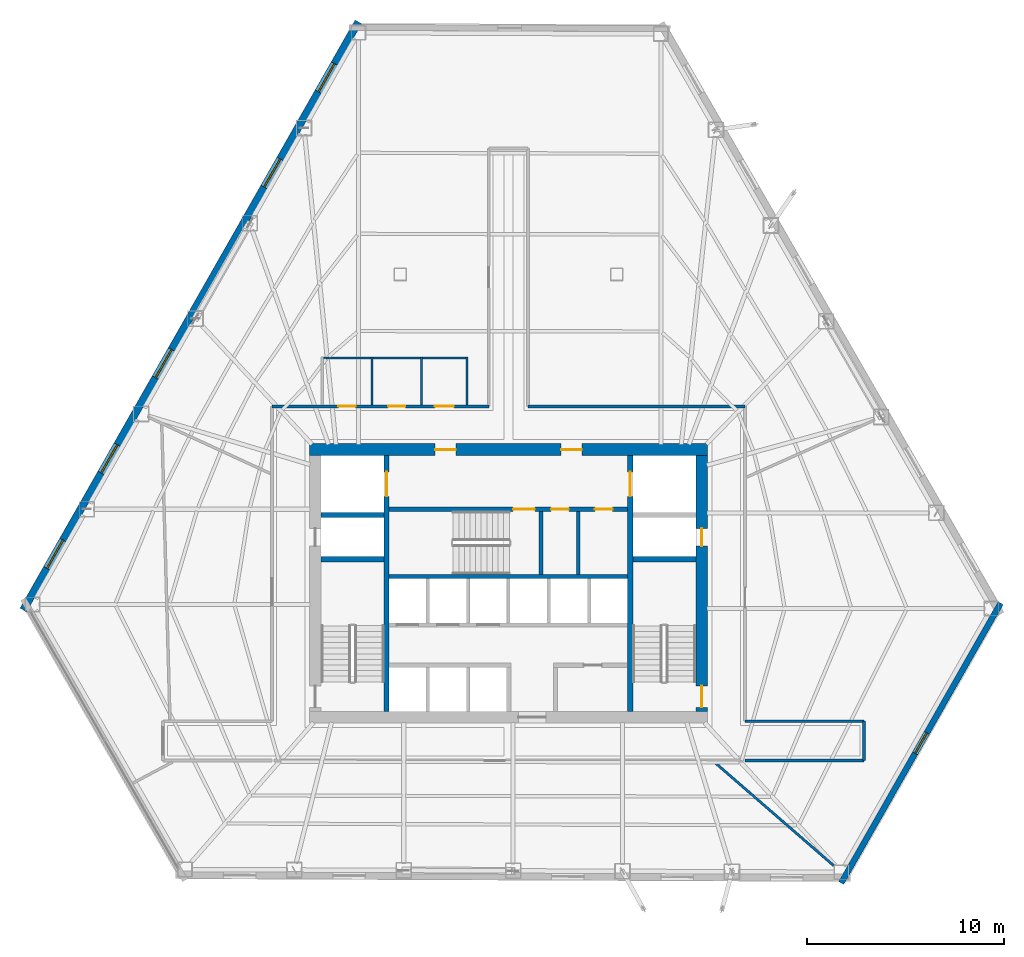
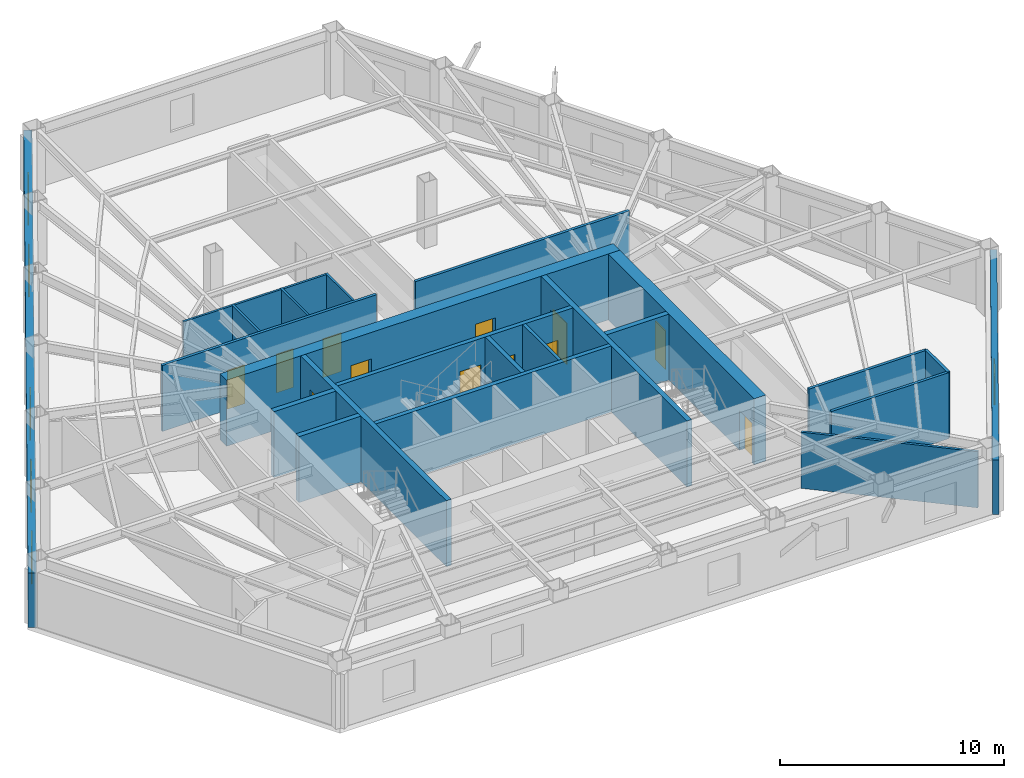
# One storey, part 10 of 13: 23 walls, 12 doors, 6 windows, 18 openings.
"""IFC4 building model written with IfcOpenShell, lengths in metres."""

import ifcopenshell
import ifcopenshell.guid

model = None  # the IFC model being written
_history = None  # IfcOwnerHistory: only IFC2X3 demands one
_inside = {}  # id of a spatial element -> (the spatial element, [elements in it])
_under = {}  # id of a project, library or spatial element -> (it, [spatial elements below it])
_declared = {}  # id of a project -> (the project, [libraries it declares])
_typed = {}  # id of a type object -> (the type object, [elements of that type])
_made_of = {}  # id of a material, layer set ... -> (it, [elements and type objects made of it])


def new_model(schema):
    """Start an empty IFC model of exactly this schema.

    Asked for "IFC4X3", IfcOpenShell would pick the latest addendum, in which some entities
    have other attributes; the version numbers below select the first issue.
    IFC2X3 requires an IfcOwnerHistory on every rooted entity: one is made here for all.
    """
    global model, _history
    if schema == "IFC4X3":
        model = ifcopenshell.file(schema_version=(4, 3, 0, 0))
    else:
        model = ifcopenshell.file(schema=schema)
    _inside.clear()
    _under.clear()
    _declared.clear()
    _typed.clear()
    _made_of.clear()
    _history = None
    if model.schema == "IFC2X3":
        org = make("IfcOrganization", Name="unknown")
        user = make(
            "IfcPersonAndOrganization",
            ThePerson=make("IfcPerson", FamilyName="unknown"),
            TheOrganization=org,
        )
        app = make(
            "IfcApplication",
            ApplicationDeveloper=org,
            Version="unknown",
            ApplicationFullName="unknown",
            ApplicationIdentifier="unknown",
        )
        _history = make(
            "IfcOwnerHistory",
            OwningUser=user,
            OwningApplication=app,
            ChangeAction="ADDED",
            CreationDate=0,
        )
    return model


def make(cls, **values):
    """One entity of the class cls with the attributes given. An attribute that is None is left unset."""
    return model.create_entity(
        cls, **{name: value for name, value in values.items() if value is not None}
    )


def rooted(cls, **values):
    """An entity with a GlobalId (a new one), such as an element, a storey or a relation."""
    return make(cls, GlobalId=ifcopenshell.guid.new(), OwnerHistory=_history, **values)


def si_unit(unit_type, name, prefix=None):
    """IfcSIUnit, for example si_unit("LENGTHUNIT", "METRE", prefix="MILLI")."""
    return make("IfcSIUnit", UnitType=unit_type, Prefix=prefix, Name=name)


def assignment(units):
    """IfcUnitAssignment: the units of a project."""
    return None if units is None else make("IfcUnitAssignment", Units=units)


def point(xyz):
    """IfcCartesianPoint."""
    return None if xyz is None else make("IfcCartesianPoint", Coordinates=xyz)


def direction(xyz):
    """IfcDirection."""
    return None if xyz is None else make("IfcDirection", DirectionRatios=xyz)


def frame(location, z_axis=None, x_axis=None):
    """IfcAxis2Placement3D, a coordinate frame: its origin and axes. An axis left out is left unset."""
    return make(
        "IfcAxis2Placement3D",
        Location=point(location),
        Axis=direction(z_axis),
        RefDirection=direction(x_axis),
    )


def frame_2d(location, x_axis=None):
    """IfcAxis2Placement2D, a coordinate frame in the plane: its origin and x axis."""
    return make(
        "IfcAxis2Placement2D", Location=point(location), RefDirection=direction(x_axis)
    )


def origin():
    """The frame at (0, 0, 0) with its axes left unset."""
    return frame((0.0, 0.0, 0.0))


def place(relative_to, where):
    """IfcLocalPlacement: puts the frame where relative to a parent placement (None: the world)."""
    return make(
        "IfcLocalPlacement", PlacementRelTo=relative_to, RelativePlacement=where
    )


def context(
    kind, dimensions, precision=None, world=None, true_north=None, identifier=None
):
    """IfcGeometricRepresentationContext, for example the 3D "Model" context."""
    return make(
        "IfcGeometricRepresentationContext",
        ContextIdentifier=identifier,
        ContextType=kind,
        CoordinateSpaceDimension=dimensions,
        Precision=precision,
        WorldCoordinateSystem=world,
        TrueNorth=true_north,
    )


def subcontext(parent, identifier, kind, view, scale=None):
    """IfcGeometricRepresentationSubContext, for example "Body" below "Model"."""
    return make(
        "IfcGeometricRepresentationSubContext",
        ContextIdentifier=identifier,
        ContextType=kind,
        ParentContext=parent,
        TargetScale=scale,
        TargetView=view,
    )


def project(units=None, contexts=None):
    """IfcProject with its units and contexts."""
    return rooted(
        "IfcProject",
        Name="project",
        RepresentationContexts=contexts,
        UnitsInContext=assignment(units),
    )


def spatial(cls, under=None, at=None, **own):
    """A site, building, storey or space (cls), placed at a placement, below another one or the project."""
    s = rooted(cls, ObjectPlacement=at, **own)
    if under is not None:
        _under.setdefault(under.id(), (under, []))[1].append(s)
    return s


def profile(cls, at=None, kind="AREA", **sizes):
    """A parametric profile (cls). Its sizes go by their IFC names, for example OverallWidth=200.0."""
    return make(cls, ProfileType=kind, Position=at, **sizes)


def rectangle(**sizes):
    """IfcRectangleProfileDef."""
    return profile("IfcRectangleProfileDef", **sizes)


def extrude(swept, where, along, depth):
    """IfcExtrudedAreaSolid: the profile swept, set in the frame where, extruded along a direction by depth."""
    return make(
        "IfcExtrudedAreaSolid",
        SweptArea=swept,
        Position=where,
        ExtrudedDirection=direction(along),
        Depth=depth,
    )


def shape(context_of_items, identifier, shape_type, items):
    """IfcShapeRepresentation: the items that make up one representation, for example the "Body"."""
    return make(
        "IfcShapeRepresentation",
        ContextOfItems=context_of_items,
        RepresentationIdentifier=identifier,
        RepresentationType=shape_type,
        Items=items,
    )


def material(Name=None, Category=None):
    """IfcMaterial."""
    return make("IfcMaterial", Name=Name, Category=Category)


def layer(
    of_material, thickness, ventilated=None, Name=None, Category=None, Priority=None
):
    """IfcMaterialLayer: one layer of a wall or slab, of a material (None: an air gap)."""
    return make(
        "IfcMaterialLayer",
        Material=of_material,
        LayerThickness=thickness,
        IsVentilated=ventilated,
        Name=Name,
        Category=Category,
        Priority=Priority,
    )


def layer_set(layers, Name=None):
    """IfcMaterialLayerSet."""
    return make("IfcMaterialLayerSet", MaterialLayers=layers, LayerSetName=Name)


def made_of(thing, what):
    """Note that an element or type object is made of a material, layer set ...; save() writes the relation."""
    if what is not None:
        _made_of.setdefault(what.id(), (what, []))[1].append(thing)
    return thing


def type_object(cls, material=None, **own):
    """A type object (cls), such as IfcWallType, which elements share."""
    return made_of(rooted(cls, **own), material)


def element(
    cls,
    number,
    at=None,
    inside=None,
    cuts=None,
    type_object=None,
    material=None,
    context=None,
    identifier="Body",
    shape_type=None,
    held_by="IfcProductDefinitionShape",
    body=None,
    shapes=None,
    **own,
):
    """One element of the class cls, such as IfcWall. Its Tag is "e" and its number.

    at: its placement. inside: the storey or other place that contains it. cuts: it is an
    opening in that element (IfcRelVoidsElement). A single representation is given by context,
    identifier, shape_type and body (its items); several are given by shapes. held_by: the class
    of the entity that holds the representations. save() writes the other relations.
    """
    e = rooted(cls, Tag="e%d" % number, ObjectPlacement=at, **own)
    if body is not None:
        shapes = [shape(context, identifier, shape_type, body)]
    if shapes is not None:
        e.Representation = make(held_by, Representations=shapes)
    if inside is not None:
        _inside.setdefault(inside.id(), (inside, []))[1].append(e)
    if cuts is not None:
        rooted(
            "IfcRelVoidsElement", RelatingBuildingElement=cuts, RelatedOpeningElement=e
        )
    if type_object is not None:
        _typed.setdefault(type_object.id(), (type_object, []))[1].append(e)
    return made_of(e, material)


def fill(opening, filler):
    """IfcRelFillsElement: the door or window that sits in an opening."""
    return rooted(
        "IfcRelFillsElement",
        RelatingOpeningElement=opening,
        RelatedBuildingElement=filler,
    )


def aggregate(whole, parts):
    """IfcRelAggregates: a whole, such as a stair, and the parts it consists of."""
    return rooted("IfcRelAggregates", RelatingObject=whole, RelatedObjects=parts)


def save(model, path):
    """Write the relations noted so far, then the file.

    IfcRelAggregates (storeys below a building ...), IfcRelContainedInSpatialStructure (elements
    in a storey), IfcRelDefinesByType, IfcRelAssociatesMaterial and IfcRelDeclares: one each for
    every whole, place, type object, material and project.
    """
    for whole, parts in _under.values():
        aggregate(whole, parts)
    for where, things in _inside.values():
        rooted(
            "IfcRelContainedInSpatialStructure",
            RelatedElements=things,
            RelatingStructure=where,
        )
    for kind, things in _typed.values():
        rooted("IfcRelDefinesByType", RelatedObjects=things, RelatingType=kind)
    for what, things in _made_of.values():
        rooted("IfcRelAssociatesMaterial", RelatedObjects=things, RelatingMaterial=what)
    for by, libraries in _declared.values():
        rooted("IfcRelDeclares", RelatingContext=by, RelatedDefinitions=libraries)
    model.write(path)


model = new_model("IFC4")

# Units and contexts
model_context = context("Model", 3, precision=1e-05, world=origin(), true_north=direction((0.0, 1.0)))
body_context = subcontext(model_context, "Body", "Model", "MODEL_VIEW")
ifc_project = project(units=[si_unit("LENGTHUNIT", "METRE"), si_unit("AREAUNIT", "SQUARE_METRE"), si_unit("VOLUMEUNIT", "CUBIC_METRE"), si_unit("PLANEANGLEUNIT", "RADIAN"), si_unit("MASSUNIT", "GRAM", prefix="KILO")], contexts=[model_context])

# Site, building, storey
site_placement = place(None, origin())
site = spatial("IfcSite", under=ifc_project, at=site_placement, CompositionType="ELEMENT")
building_placement = place(site_placement, origin())
building = spatial("IfcBuilding", under=site, at=building_placement, Name="Kavelnor Concourse Tower", CompositionType="ELEMENT")
storey_placement = place(building_placement, frame((0.0, 0.0, 36.800048828125)))
storey = spatial("IfcBuildingStorey", under=building, at=storey_placement, Name="L09", CompositionType="ELEMENT", Elevation=36.800048828125)

# Wall, openings, doors
ifc_material_1 = material(Name="Concrete C60/75", Category="concrete")
ifc_layer_1 = layer(ifc_material_1, 0.60009765625, Name="Concrete C60/75")
ifc_layer_set_1 = layer_set([ifc_layer_1], Name="Concrete C60/75")
wall_type_1 = type_object("IfcWallType", Name="WL-CORE-Z1-600", PredefinedType="SOLIDWALL", material=ifc_layer_set_1)
wall_1_placement = place(storey_placement, frame((27.8798828125, 22.89990234375, 0.0), z_axis=(0.0, 0.0, 1.0), x_axis=(1.0, 0.0, 0.0)))
wall_1 = element("IfcWall", 1, at=wall_1_placement, inside=storey, type_object=wall_type_1, Name="L09 Central Core North Shear Wall", PredefinedType="SOLIDWALL", context=body_context, shape_type="SweptSolid", body=[
    extrude(rectangle(XDim=20.240234375, YDim=0.60009765625, at=frame_2d((10.1201171875, 0.0))), origin(), (0.0, 0.0, 1.0), 3.58984375),
])
opening_1_placement = place(wall_1_placement, frame((6.39501953125, 0.0, 0.0)))
opening_1 = element("IfcOpeningElement", 2, at=opening_1_placement, cuts=wall_1, Name="Opening FD-105", PredefinedType="OPENING", context=body_context, shape_type="SweptSolid", body=[
    extrude(rectangle(XDim=1.050048828125, YDim=2.14990234375, at=frame_2d((0.52490234375, 1.074951171875))), frame((0.0, 0.31005859375, 0.0), z_axis=(0.0, -1.0, 0.0), x_axis=(1.0, 0.0, 0.0)), (0.0, 0.0, 1.0), 0.6201171875),
])
opening_2_placement = place(wall_1_placement, frame((12.794921875, 0.0, 0.0)))
opening_2 = element("IfcOpeningElement", 3, at=opening_2_placement, cuts=wall_1, Name="Opening FD-105", PredefinedType="OPENING", context=body_context, shape_type="SweptSolid", body=[
    extrude(rectangle(XDim=1.050048828125, YDim=2.14990234375, at=frame_2d((0.52490234375, 1.074951171875))), frame((0.0, 0.31005859375, 0.0), z_axis=(0.0, -1.0, 0.0), x_axis=(1.0, 0.0, 0.0)), (0.0, 0.0, 1.0), 0.6201171875),
])
ifc_material_2 = material(Name="Steel Grade 350", Category="steel")
door_type_1 = type_object("IfcDoorType", Name="DR-LOBBY-FIRE-1050", OperationType="NOTDEFINED", PredefinedType="DOOR", material=ifc_material_2)
door_1_placement = place(opening_1_placement, origin())
door_1 = element("IfcDoor", 4, at=door_1_placement, inside=storey, type_object=door_type_1, Name="L09 Emergency Lift Lobby West Door", OperationType="SINGLE_SWING_LEFT", OverallHeight=2.14990234375, OverallWidth=1.050048828125, PredefinedType="DOOR", context=body_context, shape_type="SweptSolid", body=[
    extrude(rectangle(XDim=1.050048828125, YDim=2.14990234375, at=frame_2d((0.52490234375, 1.074951171875))), frame((0.0, 0.02490234375, 0.0), z_axis=(0.0, -1.0, 0.0), x_axis=(1.0, 0.0, 0.0)), (0.0, 0.0, 1.0), 0.050048828125),
])
fill(opening_1, door_1)
door_2_placement = place(opening_2_placement, origin())
door_2 = element("IfcDoor", 5, at=door_2_placement, inside=storey, type_object=door_type_1, Name="L09 Emergency Lift Lobby East Door", OperationType="SINGLE_SWING_RIGHT", OverallHeight=2.14990234375, OverallWidth=1.050048828125, PredefinedType="DOOR", context=body_context, shape_type="SweptSolid", body=[
    extrude(rectangle(XDim=1.050048828125, YDim=2.14990234375, at=frame_2d((0.52490234375, 1.074951171875))), frame((0.0, 0.02490234375, 0.0), z_axis=(0.0, -1.0, 0.0), x_axis=(1.0, 0.0, 0.0)), (0.0, 0.0, 1.0), 0.050048828125),
])
fill(opening_2, door_2)

wall_2_placement = place(storey_placement, frame((47.820068359375, 9.60009765625, 0.0), z_axis=(0.0, 0.0, 1.0), x_axis=(0.0, 1.0, 0.0)))
wall_2 = element("IfcWall", 6, at=wall_2_placement, inside=storey, type_object=wall_type_1, Name="L09 Central Core East Shear Wall", PredefinedType="SOLIDWALL", context=body_context, shape_type="SweptSolid", body=[
    extrude(rectangle(XDim=13.0, YDim=0.60009765625, at=frame_2d((6.5, 0.0))), origin(), (0.0, 0.0, 1.0), 3.58984375),
])
opening_3_placement = place(wall_2_placement, frame((0.199951171875, 0.0, 0.0)))
opening_3 = element("IfcOpeningElement", 7, at=opening_3_placement, cuts=wall_2, Name="Opening FD-110", PredefinedType="OPENING", context=body_context, shape_type="SweptSolid", body=[
    extrude(rectangle(XDim=1.10009765625, YDim=2.14990234375, at=frame_2d((0.550048828125, 1.074951171875))), frame((0.0, 0.31005859375, 0.0), z_axis=(0.0, -1.0, 0.0), x_axis=(1.0, 0.0, 0.0)), (0.0, 0.0, 1.0), 0.6201171875),
])
opening_4_placement = place(wall_2_placement, frame((8.39990234375, 0.0, 0.0)))
opening_4 = element("IfcOpeningElement", 8, at=opening_4_placement, cuts=wall_2, Name="Opening FD-090", PredefinedType="OPENING", context=body_context, shape_type="SweptSolid", body=[
    extrude(rectangle(XDim=0.89990234375, YDim=2.10009765625, at=frame_2d((0.449951171875, 1.050048828125))), frame((0.0, 0.31005859375, 0.0), z_axis=(0.0, -1.0, 0.0), x_axis=(1.0, 0.0, 0.0)), (0.0, 0.0, 1.0), 0.6201171875),
])
door_type_2 = type_object("IfcDoorType", Name="DR-RISER-FIRE-900", OperationType="NOTDEFINED", PredefinedType="DOOR", material=ifc_material_2)
door_3_placement = place(opening_4_placement, origin())
door_3 = element("IfcDoor", 9, at=door_3_placement, inside=storey, type_object=door_type_2, Name="L09 East Riser Access Door", OperationType="SINGLE_SWING_LEFT", OverallHeight=2.10009765625, OverallWidth=0.89990234375, PredefinedType="DOOR", context=body_context, shape_type="SweptSolid", body=[
    extrude(rectangle(XDim=0.89990234375, YDim=2.10009765625, at=frame_2d((0.449951171875, 1.050048828125))), frame((0.0, 0.02490234375, 0.0), z_axis=(0.0, -1.0, 0.0), x_axis=(1.0, 0.0, 0.0)), (0.0, 0.0, 1.0), 0.050048828125),
])
fill(opening_4, door_3)
door_type_3 = type_object("IfcDoorType", Name="DR-STAIR-FIRE-1100", OperationType="NOTDEFINED", PredefinedType="DOOR", material=ifc_material_2)
door_4_placement = place(opening_3_placement, origin())
door_4 = element("IfcDoor", 10, at=door_4_placement, inside=storey, type_object=door_type_3, Name="L09 Stair ST2 Fire Door", OperationType="SINGLE_SWING_RIGHT", OverallHeight=2.14990234375, OverallWidth=1.10009765625, PredefinedType="DOOR", context=body_context, shape_type="SweptSolid", body=[
    extrude(rectangle(XDim=1.10009765625, YDim=2.14990234375, at=frame_2d((0.550048828125, 1.074951171875))), frame((0.0, 0.02490234375, 0.0), z_axis=(0.0, -1.0, 0.0), x_axis=(1.0, 0.0, 0.0)), (0.0, 0.0, 1.0), 0.050048828125),
])
fill(opening_3, door_4)

# Wall, opening, window
ifc_material_3 = material(Name="Buff ironspot clay face brick masonry", Category="masonry")
ifc_layer_2 = layer(ifc_material_3, 0.300048828125, Name="Buff ironspot clay face brick masonry")
ifc_layer_set_2 = layer_set([ifc_layer_2], Name="Buff ironspot clay face brick masonry")
wall_type_2 = type_object("IfcWallType", Name="WL-EXT-BUFF-BRICK-FOLD-300", PredefinedType="STANDARD", material=ifc_layer_set_2)
wall_3_placement = place(storey_placement, frame((63.015625, 15.098388671875, 0.0), z_axis=(0.0, 0.0, 1.0), x_axis=(-0.495085083472, -0.86884449709, 0.0)))
wall_3 = element("IfcWall", 11, at=wall_3_placement, inside=storey, type_object=wall_type_2, Name="L09 Exterior Brick Facade Wall E4", PredefinedType="STANDARD", context=body_context, shape_type="SweptSolid", body=[
    extrude(rectangle(XDim=16.371826171875, YDim=0.300048828125, at=frame_2d((8.18603515625, 0.0))), origin(), (0.0, 0.0, 1.0), 2.969970703125),
])
opening_5_placement = place(wall_3_placement, frame((7.5859375, 0.0, 0.64990234375)))
opening_5 = element("IfcOpeningElement", 12, at=opening_5_placement, cuts=wall_3, Name="Opening W-05", PredefinedType="OPENING", context=body_context, shape_type="SweptSolid", body=[
    extrude(rectangle(XDim=1.199951171875, YDim=1.699951171875, at=frame_2d((0.60009765625, 0.85009765625))), frame((0.0, 0.16015625, 0.0), z_axis=(0.0, -1.0, 0.0), x_axis=(1.0, 0.0, 0.0)), (0.0, 0.0, 1.0), 0.320068359375),
])
ifc_material_4 = material(Name="Double low-E argon insulated glazing", Category="glass")
window_type_1 = type_object("IfcWindowType", Name="WIN-FOLD-1200", PartitioningType="SINGLE_PANEL", PredefinedType="WINDOW", material=ifc_material_4)
window_1_placement = place(opening_5_placement, origin())
window_1 = element("IfcWindow", 13, at=window_1_placement, inside=storey, type_object=window_type_1, Name="L09 Chamfer-Fold Facet Window C2", OverallHeight=1.699951171875, OverallWidth=1.199951171875, PartitioningType="SINGLE_PANEL", PredefinedType="WINDOW", context=body_context, shape_type="SweptSolid", body=[
    extrude(rectangle(XDim=1.199951171875, YDim=1.699951171875, at=frame_2d((0.60009765625, 0.85009765625))), frame((0.0, 0.030029296875, 0.0), z_axis=(0.0, -1.0, 0.0), x_axis=(1.0, 0.0, 0.0)), (0.0, 0.0, 1.0), 0.06005859375),
])
fill(opening_5, window_1)

# Wall, openings, windows
ifc_material_5 = material(Name="Red-ochre clay face brick masonry", Category="masonry")
ifc_layer_3 = layer(ifc_material_5, 0.3798828125, Name="Red-ochre clay face brick masonry")
ifc_layer_set_3 = layer_set([ifc_layer_3], Name="Red-ochre clay face brick masonry")
wall_type_3 = type_object("IfcWallType", Name="WL-EXT-RED-BRICK-PIER-380", PredefinedType="STANDARD", material=ifc_layer_set_3)
wall_4_placement = place(storey_placement, frame((13.34326171875, 14.750244140625, 0.0), z_axis=(0.0, 0.0, 1.0), x_axis=(0.495088404126, 0.868842604906, 0.0)))
wall_4 = element("IfcWall", 14, at=wall_4_placement, inside=storey, type_object=wall_type_3, Name="L09 Exterior Brick Facade Wall E1", PredefinedType="STANDARD", context=body_context, shape_type="SweptSolid", body=[
    extrude(rectangle(XDim=34.3994140625, YDim=0.3798828125, at=frame_2d((17.19970703125, 0.0))), origin(), (0.0, 0.0, 1.0), 2.969970703125),
])
opening_6_placement = place(wall_4_placement, frame((30.30712890625, 0.0, 0.64990234375)))
opening_6 = element("IfcOpeningElement", 15, at=opening_6_placement, cuts=wall_4, Name="Opening W-01", PredefinedType="OPENING", context=body_context, shape_type="SweptSolid", body=[
    extrude(rectangle(XDim=1.64990234375, YDim=1.75, at=frame_2d((0.824951171875, 0.875))), frame((0.0, 0.199951171875, 0.0), z_axis=(0.0, -1.0, 0.0), x_axis=(1.0, 0.0, 0.0)), (0.0, 0.0, 1.0), 0.39990234375),
])
opening_7_placement = place(wall_4_placement, frame((24.73291015625, 0.0, 0.64990234375)))
opening_7 = element("IfcOpeningElement", 16, at=opening_7_placement, cuts=wall_4, Name="Opening W-01", PredefinedType="OPENING", context=body_context, shape_type="SweptSolid", body=[
    extrude(rectangle(XDim=1.64990234375, YDim=1.75, at=frame_2d((0.824951171875, 0.875))), frame((0.0, 0.199951171875, 0.0), z_axis=(0.0, -1.0, 0.0), x_axis=(1.0, 0.0, 0.0)), (0.0, 0.0, 1.0), 0.39990234375),
])
opening_8_placement = place(wall_4_placement, frame((13.5849609375, 0.0, 0.64990234375)))
opening_8 = element("IfcOpeningElement", 17, at=opening_8_placement, cuts=wall_4, Name="Opening W-01", PredefinedType="OPENING", context=body_context, shape_type="SweptSolid", body=[
    extrude(rectangle(XDim=1.64990234375, YDim=1.75, at=frame_2d((0.824951171875, 0.875))), frame((0.0, 0.199951171875, 0.0), z_axis=(0.0, -1.0, 0.0), x_axis=(1.0, 0.0, 0.0)), (0.0, 0.0, 1.0), 0.39990234375),
])
opening_9_placement = place(wall_4_placement, frame((8.010986328125, 0.0, 0.64990234375)))
opening_9 = element("IfcOpeningElement", 18, at=opening_9_placement, cuts=wall_4, Name="Opening W-01", PredefinedType="OPENING", context=body_context, shape_type="SweptSolid", body=[
    extrude(rectangle(XDim=1.64990234375, YDim=1.75, at=frame_2d((0.824951171875, 0.875))), frame((0.0, 0.199951171875, 0.0), z_axis=(0.0, -1.0, 0.0), x_axis=(1.0, 0.0, 0.0)), (0.0, 0.0, 1.0), 0.39990234375),
])
opening_10_placement = place(wall_4_placement, frame((2.436767578125, 0.0, 0.64990234375)))
opening_10 = element("IfcOpeningElement", 19, at=opening_10_placement, cuts=wall_4, Name="Opening W-01", PredefinedType="OPENING", context=body_context, shape_type="SweptSolid", body=[
    extrude(rectangle(XDim=1.64990234375, YDim=1.75, at=frame_2d((0.824951171875, 0.875))), frame((0.0, 0.199951171875, 0.0), z_axis=(0.0, -1.0, 0.0), x_axis=(1.0, 0.0, 0.0)), (0.0, 0.0, 1.0), 0.39990234375),
])
window_type_2 = type_object("IfcWindowType", Name="WIN-PIER-Z1-1800", PartitioningType="SINGLE_PANEL", PredefinedType="WINDOW", material=ifc_material_4)
window_2_placement = place(opening_6_placement, origin())
window_2 = element("IfcWindow", 20, at=window_2_placement, inside=storey, type_object=window_type_2, Name="L09 Deep-Set Brick Pier Window F0-B0", OverallHeight=1.75, OverallWidth=1.64990234375, PartitioningType="SINGLE_PANEL", PredefinedType="WINDOW", context=body_context, shape_type="SweptSolid", body=[
    extrude(rectangle(XDim=1.64990234375, YDim=1.75, at=frame_2d((0.824951171875, 0.875))), frame((0.0, 0.030029296875, 0.0), z_axis=(0.0, -1.0, 0.0), x_axis=(1.0, 0.0, 0.0)), (0.0, 0.0, 1.0), 0.06005859375),
])
fill(opening_6, window_2)
window_3_placement = place(opening_7_placement, origin())
window_3 = element("IfcWindow", 21, at=window_3_placement, inside=storey, type_object=window_type_2, Name="L09 Deep-Set Brick Pier Window F0-B1", OverallHeight=1.75, OverallWidth=1.64990234375, PartitioningType="SINGLE_PANEL", PredefinedType="WINDOW", context=body_context, shape_type="SweptSolid", body=[
    extrude(rectangle(XDim=1.64990234375, YDim=1.75, at=frame_2d((0.824951171875, 0.875))), frame((0.0, 0.030029296875, 0.0), z_axis=(0.0, -1.0, 0.0), x_axis=(1.0, 0.0, 0.0)), (0.0, 0.0, 1.0), 0.06005859375),
])
fill(opening_7, window_3)
window_4_placement = place(opening_8_placement, origin())
window_4 = element("IfcWindow", 22, at=window_4_placement, inside=storey, type_object=window_type_2, Name="L09 Deep-Set Brick Pier Window F0-B3", OverallHeight=1.75, OverallWidth=1.64990234375, PartitioningType="SINGLE_PANEL", PredefinedType="WINDOW", context=body_context, shape_type="SweptSolid", body=[
    extrude(rectangle(XDim=1.64990234375, YDim=1.75, at=frame_2d((0.824951171875, 0.875))), frame((0.0, 0.030029296875, 0.0), z_axis=(0.0, -1.0, 0.0), x_axis=(1.0, 0.0, 0.0)), (0.0, 0.0, 1.0), 0.06005859375),
])
fill(opening_8, window_4)
window_5_placement = place(opening_9_placement, origin())
window_5 = element("IfcWindow", 23, at=window_5_placement, inside=storey, type_object=window_type_2, Name="L09 Deep-Set Brick Pier Window F0-B4", OverallHeight=1.75, OverallWidth=1.64990234375, PartitioningType="SINGLE_PANEL", PredefinedType="WINDOW", context=body_context, shape_type="SweptSolid", body=[
    extrude(rectangle(XDim=1.64990234375, YDim=1.75, at=frame_2d((0.824951171875, 0.875))), frame((0.0, 0.030029296875, 0.0), z_axis=(0.0, -1.0, 0.0), x_axis=(1.0, 0.0, 0.0)), (0.0, 0.0, 1.0), 0.06005859375),
])
fill(opening_9, window_5)
window_6_placement = place(opening_10_placement, origin())
window_6 = element("IfcWindow", 24, at=window_6_placement, inside=storey, type_object=window_type_2, Name="L09 Deep-Set Brick Pier Window F0-B5", OverallHeight=1.75, OverallWidth=1.64990234375, PartitioningType="SINGLE_PANEL", PredefinedType="WINDOW", context=body_context, shape_type="SweptSolid", body=[
    extrude(rectangle(XDim=1.64990234375, YDim=1.75, at=frame_2d((0.824951171875, 0.875))), frame((0.0, 0.030029296875, 0.0), z_axis=(0.0, -1.0, 0.0), x_axis=(1.0, 0.0, 0.0)), (0.0, 0.0, 1.0), 0.06005859375),
])
fill(opening_10, window_6)

# Wall, openings, doors
ifc_material_6 = material(Name="Gypsum plasterboard on light-gauge steel studs", Category="steel")
ifc_layer_4 = layer(ifc_material_6, 0.14501953125, Name="Gypsum plasterboard on light-gauge steel studs")
ifc_layer_set_4 = layer_set([ifc_layer_4], Name="Gypsum plasterboard on light-gauge steel studs")
wall_type_4 = type_object("IfcWallType", Name="WL-INT-CORR-145", PredefinedType="PARTITIONING", material=ifc_layer_set_4)
wall_5_placement = place(storey_placement, frame((25.97998046875, 25.10009765625, 0.0), z_axis=(0.0, 0.0, 1.0), x_axis=(1.0, 0.0, 0.0)))
wall_5 = element("IfcWall", 25, at=wall_5_placement, inside=storey, type_object=wall_type_4, Name="L09 Corridor Wall WL-L09-CR-03", PredefinedType="PARTITIONING", context=body_context, shape_type="SweptSolid", body=[
    extrude(rectangle(XDim=11.02001953125, YDim=0.14501953125, at=frame_2d((5.510009765625, 0.0))), origin(), (0.0, 0.0, 1.0), 3.58984375),
])
opening_11_placement = place(wall_5_placement, frame((3.3798828125, 0.0, 0.0)))
opening_11 = element("IfcOpeningElement", 26, at=opening_11_placement, cuts=wall_5, Name="Opening WD-088", PredefinedType="OPENING", context=body_context, shape_type="SweptSolid", body=[
    extrude(rectangle(XDim=0.8798828125, YDim=2.10009765625, at=frame_2d((0.43994140625, 1.050048828125))), frame((0.0, 0.08251953125, 0.0), z_axis=(0.0, -1.0, 0.0), x_axis=(1.0, 0.0, 0.0)), (0.0, 0.0, 1.0), 0.1650390625),
])
opening_12_placement = place(wall_5_placement, frame((5.89990234375, 0.0, 0.0)))
opening_12 = element("IfcOpeningElement", 27, at=opening_12_placement, cuts=wall_5, Name="Opening WD-088", PredefinedType="OPENING", context=body_context, shape_type="SweptSolid", body=[
    extrude(rectangle(XDim=0.8798828125, YDim=2.10009765625, at=frame_2d((0.43994140625, 1.050048828125))), frame((0.0, 0.08251953125, 0.0), z_axis=(0.0, -1.0, 0.0), x_axis=(1.0, 0.0, 0.0)), (0.0, 0.0, 1.0), 0.1650390625),
])
opening_13_placement = place(wall_5_placement, frame((8.280029296875, 0.0, 0.0)))
opening_13 = element("IfcOpeningElement", 28, at=opening_13_placement, cuts=wall_5, Name="Opening WD-096", PredefinedType="OPENING", context=body_context, shape_type="SweptSolid", body=[
    extrude(rectangle(XDim=0.9599609375, YDim=2.10009765625, at=frame_2d((0.47998046875, 1.050048828125))), frame((0.0, 0.08251953125, 0.0), z_axis=(0.0, -1.0, 0.0), x_axis=(1.0, 0.0, 0.0)), (0.0, 0.0, 1.0), 0.1650390625),
])
ifc_material_7 = material(Name="Solid-core hardwood timber", Category="wood")
door_type_4 = type_object("IfcDoorType", Name="DR-WC-ACC-960", OperationType="NOTDEFINED", PredefinedType="DOOR", material=ifc_material_7)
door_5_placement = place(opening_13_placement, origin())
door_5 = element("IfcDoor", 29, at=door_5_placement, inside=storey, type_object=door_type_4, Name="L09 Accessible WC Door", OperationType="SINGLE_SWING_RIGHT", OverallHeight=2.10009765625, OverallWidth=0.9599609375, PredefinedType="DOOR", context=body_context, shape_type="SweptSolid", body=[
    extrude(rectangle(XDim=0.9599609375, YDim=2.10009765625, at=frame_2d((0.47998046875, 1.050048828125))), frame((0.0, 0.02490234375, 0.0), z_axis=(0.0, -1.0, 0.0), x_axis=(1.0, 0.0, 0.0)), (0.0, 0.0, 1.0), 0.050048828125),
])
fill(opening_13, door_5)
door_type_5 = type_object("IfcDoorType", Name="DR-WC-STD-880", OperationType="NOTDEFINED", PredefinedType="DOOR", material=ifc_material_7)
door_6_placement = place(opening_11_placement, origin())
door_6 = element("IfcDoor", 30, at=door_6_placement, inside=storey, type_object=door_type_5, Name="L09 Male WC Door", OperationType="SINGLE_SWING_RIGHT", OverallHeight=2.10009765625, OverallWidth=0.8798828125, PredefinedType="DOOR", context=body_context, shape_type="SweptSolid", body=[
    extrude(rectangle(XDim=0.8798828125, YDim=2.10009765625, at=frame_2d((0.43994140625, 1.050048828125))), frame((0.0, 0.02490234375, 0.0), z_axis=(0.0, -1.0, 0.0), x_axis=(1.0, 0.0, 0.0)), (0.0, 0.0, 1.0), 0.050048828125),
])
fill(opening_11, door_6)
door_7_placement = place(opening_12_placement, origin())
door_7 = element("IfcDoor", 31, at=door_7_placement, inside=storey, type_object=door_type_5, Name="L09 Female WC Door", OperationType="SINGLE_SWING_LEFT", OverallHeight=2.10009765625, OverallWidth=0.8798828125, PredefinedType="DOOR", context=body_context, shape_type="SweptSolid", body=[
    extrude(rectangle(XDim=0.8798828125, YDim=2.10009765625, at=frame_2d((0.43994140625, 1.050048828125))), frame((0.0, 0.02490234375, 0.0), z_axis=(0.0, -1.0, 0.0), x_axis=(1.0, 0.0, 0.0)), (0.0, 0.0, 1.0), 0.050048828125),
])
fill(opening_12, door_7)

# Walls
wall_6_placement = place(storey_placement, frame((39.0, 25.10009765625, 0.0), z_axis=(0.0, 0.0, 1.0), x_axis=(1.0, 0.0, 0.0)))
element("IfcWall", 32, at=wall_6_placement, inside=storey, type_object=wall_type_4, Name="L09 Corridor Wall WL-L09-CR-07", PredefinedType="PARTITIONING", context=body_context, shape_type="SweptSolid", body=[
    extrude(rectangle(XDim=11.02001953125, YDim=0.14501953125, at=frame_2d((5.510009765625, 0.0))), origin(), (0.0, 0.0, 1.0), 3.58984375),
])
wall_7_placement = place(storey_placement, frame((50.02001953125, 9.10009765625, 0.0), z_axis=(0.0, 0.0, 1.0), x_axis=(1.0, 0.0, 0.0)))
element("IfcWall", 33, at=wall_7_placement, inside=storey, type_object=wall_type_4, Name="L09 Corridor Wall WL-L09-CR-09", PredefinedType="PARTITIONING", context=body_context, shape_type="SweptSolid", body=[
    extrude(rectangle(XDim=6.0556640625, YDim=0.14501953125, at=frame_2d((3.02783203125, 0.0))), origin(), (0.0, 0.0, 1.0), 3.58984375),
])
wall_8_placement = place(storey_placement, frame((56.07568359375, 9.10009765625, 0.0), z_axis=(0.0, 0.0, 1.0), x_axis=(0.0, -1.0, 0.0)))
element("IfcWall", 34, at=wall_8_placement, inside=storey, type_object=wall_type_4, Name="L09 Corridor Wall WL-L09-CR-10", PredefinedType="PARTITIONING", context=body_context, shape_type="SweptSolid", body=[
    extrude(rectangle(XDim=2.0, YDim=0.14501953125, at=frame_2d((1.0, 0.0))), origin(), (0.0, 0.0, 1.0), 3.58984375),
])
wall_9_placement = place(storey_placement, frame((56.07568359375, 7.10009765625, 0.0), z_axis=(0.0, 0.0, 1.0), x_axis=(-1.0, 0.0, 0.0)))
element("IfcWall", 35, at=wall_9_placement, inside=storey, type_object=wall_type_4, Name="L09 Corridor Wall WL-L09-CR-11", PredefinedType="PARTITIONING", context=body_context, shape_type="SweptSolid", body=[
    extrude(rectangle(XDim=6.0556640625, YDim=0.14501953125, at=frame_2d((3.02783203125, 0.0))), origin(), (0.0, 0.0, 1.0), 3.58984375),
])
ifc_layer_5 = layer(ifc_material_6, 0.1650390625, Name="Gypsum plasterboard on light-gauge steel studs")
ifc_layer_set_5 = layer_set([ifc_layer_5], Name="Gypsum plasterboard on light-gauge steel studs")
wall_type_5 = type_object("IfcWallType", Name="WL-INT-FIRE-165", PredefinedType="PARTITIONING", material=ifc_layer_set_5)
wall_10_placement = place(storey_placement, frame((41.550048828125, 16.56005859375, 0.0), z_axis=(0.0, 0.0, 1.0), x_axis=(0.0, 1.0, 0.0)))
element("IfcWall", 36, at=wall_10_placement, inside=storey, type_object=wall_type_5, Name="L09 Core North Support Divider", PredefinedType="PARTITIONING", context=body_context, shape_type="SweptSolid", body=[
    extrude(rectangle(XDim=3.199951171875, YDim=0.1650390625, at=frame_2d((1.60009765625, 0.0))), origin(), (0.0, 0.0, 1.0), 3.58984375),
])
ifc_layer_6 = layer(ifc_material_6, 0.125, Name="Gypsum plasterboard on light-gauge steel studs")
ifc_layer_set_6 = layer_set([ifc_layer_6], Name="Gypsum plasterboard on light-gauge steel studs")
wall_type_6 = type_object("IfcWallType", Name="WL-INT-SUITE-125", PredefinedType="PARTITIONING", material=ifc_layer_set_6)
wall_11_placement = place(storey_placement, frame((48.46533203125, 7.01953125, 0.0), z_axis=(0.0, 0.0, 1.0), x_axis=(0.755333542889, -0.655340551916, 0.0)))
element("IfcWall", 37, at=wall_11_placement, inside=storey, type_object=wall_type_6, Name="L09 Radial Suite Partition 04", PredefinedType="PARTITIONING", context=body_context, shape_type="SweptSolid", body=[
    extrude(rectangle(XDim=8.02294921875, YDim=0.125, at=frame_2d((4.011474609375, 0.0))), origin(), (0.0, 0.0, 1.0), 3.056884765625),
])
ifc_layer_7 = layer(ifc_material_6, 0.110107421875, Name="Gypsum plasterboard on light-gauge steel studs")
ifc_layer_set_7 = layer_set([ifc_layer_7], Name="Gypsum plasterboard on light-gauge steel studs")
wall_type_7 = type_object("IfcWallType", Name="WL-INT-WC-110", PredefinedType="PLUMBINGWALL", material=ifc_layer_set_7)
for number, where, z_axis, x_axis, name in (
    (38, (31.06005859375, 25.169921875, 0.0), (0.0, 0.0, 1.0), (0.0, 1.0, 0.0), "L09 Sanitary Partition WL-L09-WC-D1"),
    (39, (33.580078125, 25.169921875, 0.0), (0.0, 0.0, 1.0), (0.0, 1.0, 0.0), "L09 Sanitary Partition WL-L09-WC-D2"),
    (40, (35.89990234375, 25.169921875, 0.0), (0.0, 0.0, 1.0), (0.0, 1.0, 0.0), "L09 Sanitary Partition WL-L09-WC-E"),
):
    element("IfcWall", number, at=place(storey_placement, frame(where, z_axis=z_axis, x_axis=x_axis)), inside=storey, type_object=wall_type_7, Name=name, PredefinedType="PLUMBINGWALL", context=body_context, shape_type="SweptSolid", body=[
        extrude(rectangle(XDim=2.440185546875, YDim=0.110107421875, at=frame_2d((1.22021484375, 0.0))), origin(), (0.0, 0.0, 1.0), 3.58984375),
    ])
wall_12_placement = place(storey_placement, frame((28.489990234375, 27.550048828125, 0.0), z_axis=(0.0, 0.0, 1.0), x_axis=(1.0, 0.0, 0.0)))
element("IfcWall", 41, at=wall_12_placement, inside=storey, type_object=wall_type_7, Name="L09 Sanitary Partition WL-L09-WC-N", PredefinedType="PLUMBINGWALL", context=body_context, shape_type="SweptSolid", body=[
    extrude(rectangle(XDim=7.4599609375, YDim=0.110107421875, at=frame_2d((3.72998046875, 0.0))), origin(), (0.0, 0.0, 1.0), 3.58984375),
])

# Wall, openings, doors
ifc_material_8 = material(Name="Concrete C50/60", Category="concrete")
ifc_layer_8 = layer(ifc_material_8, 0.219970703125, Name="Concrete C50/60")
ifc_layer_set_8 = layer_set([ifc_layer_8], Name="Concrete C50/60")
wall_type_8 = type_object("IfcWallType", Name="WL-SHAFT-220", PredefinedType="SOLIDWALL", material=ifc_layer_set_8)
wall_13_placement = place(storey_placement, frame((31.93994140625, 19.8701171875, 0.0), z_axis=(0.0, 0.0, 1.0), x_axis=(1.0, 0.0, 0.0)))
wall_13 = element("IfcWall", 42, at=wall_13_placement, inside=storey, type_object=wall_type_8, Name="L09 Emergency Lift Lobby South Wall", PredefinedType="SOLIDWALL", context=body_context, shape_type="SweptSolid", body=[
    extrude(rectangle(XDim=12.1201171875, YDim=0.219970703125, at=frame_2d((6.06005859375, 0.0))), origin(), (0.0, 0.0, 1.0), 3.58984375),
])
opening_14_placement = place(wall_13_placement, frame((6.300048828125, 0.0, 0.0)))
opening_14 = element("IfcOpeningElement", 43, at=opening_14_placement, cuts=wall_13, Name="Opening FD-110", PredefinedType="OPENING", context=body_context, shape_type="SweptSolid", body=[
    extrude(rectangle(XDim=1.10009765625, YDim=2.14990234375, at=frame_2d((0.550048828125, 1.074951171875))), frame((0.0, 0.1201171875, 0.0), z_axis=(0.0, -1.0, 0.0), x_axis=(1.0, 0.0, 0.0)), (0.0, 0.0, 1.0), 0.239990234375),
])
opening_15_placement = place(wall_13_placement, frame((8.22998046875, 0.0, 0.0)))
opening_15 = element("IfcOpeningElement", 44, at=opening_15_placement, cuts=wall_13, Name="Opening FD-090", PredefinedType="OPENING", context=body_context, shape_type="SweptSolid", body=[
    extrude(rectangle(XDim=0.89990234375, YDim=2.10009765625, at=frame_2d((0.449951171875, 1.050048828125))), frame((0.0, 0.1201171875, 0.0), z_axis=(0.0, -1.0, 0.0), x_axis=(1.0, 0.0, 0.0)), (0.0, 0.0, 1.0), 0.239990234375),
])
opening_16_placement = place(wall_13_placement, frame((10.449951171875, 0.0, 0.0)))
opening_16 = element("IfcOpeningElement", 45, at=opening_16_placement, cuts=wall_13, Name="Opening FD-090", PredefinedType="OPENING", context=body_context, shape_type="SweptSolid", body=[
    extrude(rectangle(XDim=0.89990234375, YDim=2.10009765625, at=frame_2d((0.449951171875, 1.050048828125))), frame((0.0, 0.1201171875, 0.0), z_axis=(0.0, -1.0, 0.0), x_axis=(1.0, 0.0, 0.0)), (0.0, 0.0, 1.0), 0.239990234375),
])
door_8_placement = place(opening_15_placement, origin())
door_8 = element("IfcDoor", 46, at=door_8_placement, inside=storey, type_object=door_type_2, Name="L09 Telecom Room Door", OperationType="SINGLE_SWING_LEFT", OverallHeight=2.10009765625, OverallWidth=0.89990234375, PredefinedType="DOOR", context=body_context, shape_type="SweptSolid", body=[
    extrude(rectangle(XDim=0.89990234375, YDim=2.10009765625, at=frame_2d((0.449951171875, 1.050048828125))), frame((0.0, 0.02490234375, 0.0), z_axis=(0.0, -1.0, 0.0), x_axis=(1.0, 0.0, 0.0)), (0.0, 0.0, 1.0), 0.050048828125),
])
fill(opening_15, door_8)
door_9_placement = place(opening_16_placement, origin())
door_9 = element("IfcDoor", 47, at=door_9_placement, inside=storey, type_object=door_type_2, Name="L09 Janitor Store Door", OperationType="SINGLE_SWING_RIGHT", OverallHeight=2.10009765625, OverallWidth=0.89990234375, PredefinedType="DOOR", context=body_context, shape_type="SweptSolid", body=[
    extrude(rectangle(XDim=0.89990234375, YDim=2.10009765625, at=frame_2d((0.449951171875, 1.050048828125))), frame((0.0, 0.02490234375, 0.0), z_axis=(0.0, -1.0, 0.0), x_axis=(1.0, 0.0, 0.0)), (0.0, 0.0, 1.0), 0.050048828125),
])
fill(opening_16, door_9)
door_10_placement = place(opening_14_placement, origin())
door_10 = element("IfcDoor", 48, at=door_10_placement, inside=storey, type_object=door_type_3, Name="L09 Stair ST3 Fire Door", OperationType="SINGLE_SWING_LEFT", OverallHeight=2.14990234375, OverallWidth=1.10009765625, PredefinedType="DOOR", context=body_context, shape_type="SweptSolid", body=[
    extrude(rectangle(XDim=1.10009765625, YDim=2.14990234375, at=frame_2d((0.550048828125, 1.074951171875))), frame((0.0, 0.02490234375, 0.0), z_axis=(0.0, -1.0, 0.0), x_axis=(1.0, 0.0, 0.0)), (0.0, 0.0, 1.0), 0.050048828125),
])
fill(opening_14, door_10)

# Walls
wall_14_placement = place(storey_placement, frame((31.93994140625, 16.449951171875, 0.0), z_axis=(0.0, 0.0, 1.0), x_axis=(1.0, 0.0, 0.0)))
element("IfcWall", 49, at=wall_14_placement, inside=storey, type_object=wall_type_8, Name="L09 Stair ST3 South Core Wall", PredefinedType="SOLIDWALL", context=body_context, shape_type="SweptSolid", body=[
    extrude(rectangle(XDim=12.1201171875, YDim=0.219970703125, at=frame_2d((6.06005859375, 0.0))), origin(), (0.0, 0.0, 1.0), 3.58984375),
])
wall_15_placement = place(storey_placement, frame((39.64990234375, 16.56005859375, 0.0), z_axis=(0.0, 0.0, 1.0), x_axis=(0.0, 1.0, 0.0)))
element("IfcWall", 50, at=wall_15_placement, inside=storey, type_object=wall_type_8, Name="L09 Stair ST3 East Core Wall", PredefinedType="SOLIDWALL", context=body_context, shape_type="SweptSolid", body=[
    extrude(rectangle(XDim=3.199951171875, YDim=0.219970703125, at=frame_2d((1.60009765625, 0.0))), origin(), (0.0, 0.0, 1.0), 3.58984375),
])

# Wall, opening, door
ifc_layer_9 = layer(ifc_material_8, 0.260009765625, Name="Concrete C50/60")
ifc_layer_set_9 = layer_set([ifc_layer_9], Name="Concrete C50/60")
wall_type_9 = type_object("IfcWallType", Name="WL-SHAFT-260", PredefinedType="SHEAR", material=ifc_layer_set_9)
wall_16_placement = place(storey_placement, frame((31.81005859375, 9.60009765625, 0.0), z_axis=(0.0, 0.0, 1.0), x_axis=(0.0, 1.0, 0.0)))
wall_16 = element("IfcWall", 51, at=wall_16_placement, inside=storey, type_object=wall_type_9, Name="L09 Core West Wing Shear Wall", PredefinedType="SHEAR", context=body_context, shape_type="SweptSolid", body=[
    extrude(rectangle(XDim=13.0, YDim=0.260009765625, at=frame_2d((6.5, 0.0))), origin(), (0.0, 0.0, 1.0), 3.58984375),
])
opening_17_placement = place(wall_16_placement, frame((10.925048828125, 0.0, 0.0)))
opening_17 = element("IfcOpeningElement", 52, at=opening_17_placement, cuts=wall_16, Name="Opening LD-125", PredefinedType="OPENING", context=body_context, shape_type="SweptSolid", body=[
    extrude(rectangle(XDim=1.25, YDim=2.25, at=frame_2d((0.625, 1.125))), frame((0.0, 0.14013671875, 0.0), z_axis=(0.0, -1.0, 0.0), x_axis=(1.0, 0.0, 0.0)), (0.0, 0.0, 1.0), 0.280029296875),
])
door_type_6 = type_object("IfcDoorType", Name="DR-LIFT-SLIDING-1250", OperationType="NOTDEFINED", PredefinedType="DOOR", material=ifc_material_2)
door_11_placement = place(opening_17_placement, origin())
door_11 = element("IfcDoor", 53, at=door_11_placement, inside=storey, type_object=door_type_6, Name="L09 Emergency Lift FL1 Landing Door", OperationType="DOUBLE_DOOR_SLIDING", OverallHeight=2.25, OverallWidth=1.25, PredefinedType="DOOR", context=body_context, shape_type="SweptSolid", body=[
    extrude(rectangle(XDim=1.25, YDim=2.25, at=frame_2d((0.625, 1.125))), frame((0.0, 0.02490234375, 0.0), z_axis=(0.0, -1.0, 0.0), x_axis=(1.0, 0.0, 0.0)), (0.0, 0.0, 1.0), 0.050048828125),
])
fill(opening_17, door_11)

wall_17_placement = place(storey_placement, frame((44.18994140625, 9.60009765625, 0.0), z_axis=(0.0, 0.0, 1.0), x_axis=(0.0, 1.0, 0.0)))
wall_17 = element("IfcWall", 54, at=wall_17_placement, inside=storey, type_object=wall_type_9, Name="L09 Core East Wing Shear Wall", PredefinedType="SHEAR", context=body_context, shape_type="SweptSolid", body=[
    extrude(rectangle(XDim=13.0, YDim=0.260009765625, at=frame_2d((6.5, 0.0))), origin(), (0.0, 0.0, 1.0), 3.58984375),
])
opening_18_placement = place(wall_17_placement, frame((10.925048828125, 0.0, 0.0)))
opening_18 = element("IfcOpeningElement", 55, at=opening_18_placement, cuts=wall_17, Name="Opening LD-125", PredefinedType="OPENING", context=body_context, shape_type="SweptSolid", body=[
    extrude(rectangle(XDim=1.25, YDim=2.25, at=frame_2d((0.625, 1.125))), frame((0.0, 0.14013671875, 0.0), z_axis=(0.0, -1.0, 0.0), x_axis=(1.0, 0.0, 0.0)), (0.0, 0.0, 1.0), 0.280029296875),
])
door_12_placement = place(opening_18_placement, origin())
door_12 = element("IfcDoor", 56, at=door_12_placement, inside=storey, type_object=door_type_6, Name="L09 Emergency Lift FL2 Landing Door", OperationType="DOUBLE_DOOR_SLIDING", OverallHeight=2.25, OverallWidth=1.25, PredefinedType="DOOR", context=body_context, shape_type="SweptSolid", body=[
    extrude(rectangle(XDim=1.25, YDim=2.25, at=frame_2d((0.625, 1.125))), frame((0.0, 0.02490234375, 0.0), z_axis=(0.0, -1.0, 0.0), x_axis=(1.0, 0.0, 0.0)), (0.0, 0.0, 1.0), 0.050048828125),
])
fill(opening_18, door_12)

# Walls
for number, where, z_axis, x_axis, name in (
    (57, (28.47998046875, 17.330078125, 0.0), (0.0, 0.0, 1.0), (1.0, 0.0, 0.0), "L09 Stair ST1 North Shaft Wall"),
    (58, (28.47998046875, 19.570068359375, 0.0), (0.0, 0.0, 1.0), (1.0, 0.0, 0.0), "L09 Emergency Lift FL1 South Shaft Wall"),
    (59, (44.320068359375, 17.330078125, 0.0), (0.0, 0.0, 1.0), (1.0, 0.0, 0.0), "L09 Stair ST2 North Shaft Wall"),
):
    element("IfcWall", number, at=place(storey_placement, frame(where, z_axis=z_axis, x_axis=x_axis)), inside=storey, type_object=wall_type_9, Name=name, PredefinedType="SHEAR", context=body_context, shape_type="SweptSolid", body=[
        extrude(rectangle(XDim=3.199951171875, YDim=0.260009765625, at=frame_2d((1.60009765625, 0.0))), origin(), (0.0, 0.0, 1.0), 3.58984375),
    ])

save(model, "model.ifc")
